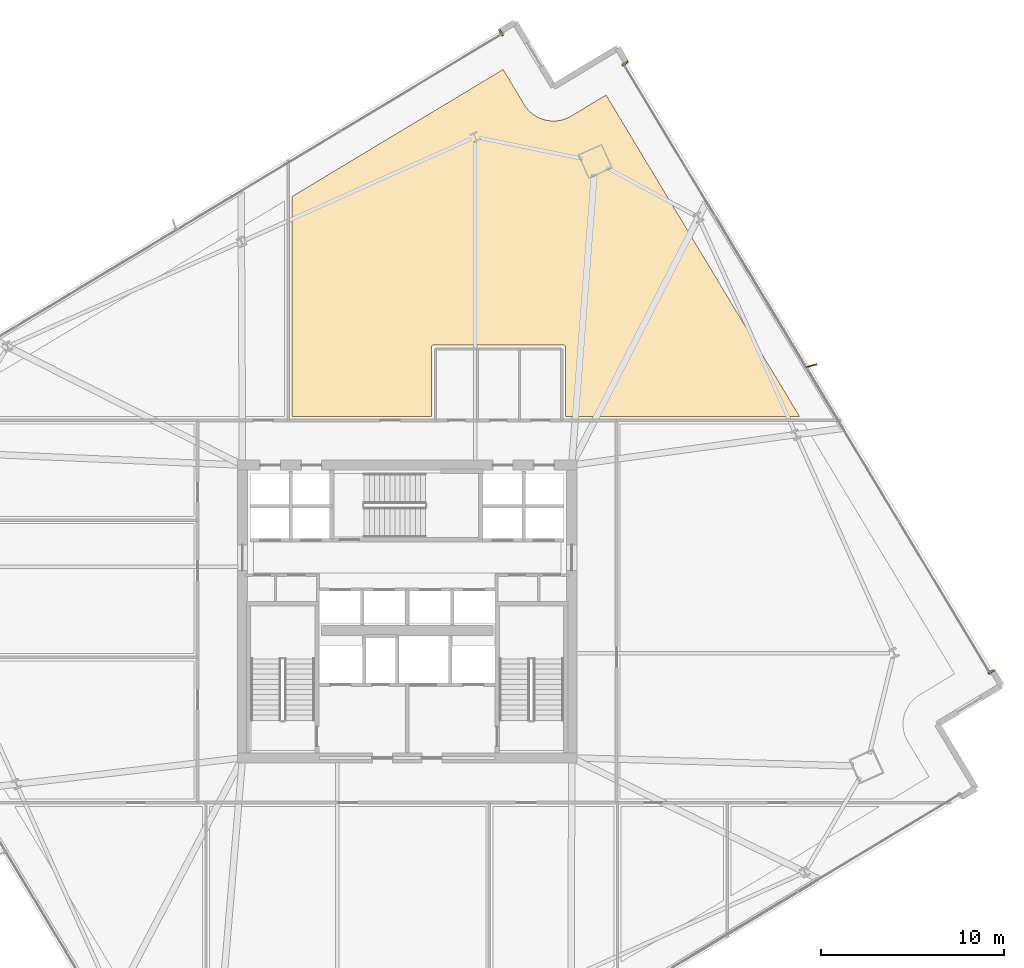
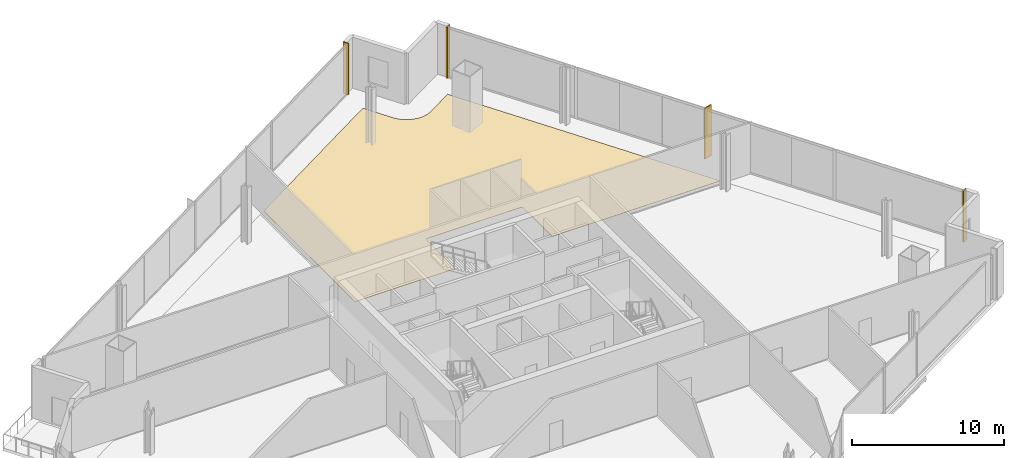
# One storey, part 30 of 30: 4 coverings, 1 shading device.
"""IFC4 building model written with IfcOpenShell, lengths in metres."""

from ifc_helpers import new_model, si_unit, direction, frame, origin, origin_2d, place, context, subcontext, project, spatial, polyline, rectangle, outline, extrude, source, transform, mapped, material, layer, layer_set, type_object, element, save


model = new_model("IFC4")

# Units and contexts
model_context = context("Model", 3, precision=1e-05, world=origin(), true_north=direction((0.0, 1.0)))
body_context = subcontext(model_context, "Body", "Model", "MODEL_VIEW")
ifc_project = project(units=[si_unit("LENGTHUNIT", "METRE"), si_unit("AREAUNIT", "SQUARE_METRE"), si_unit("VOLUMEUNIT", "CUBIC_METRE"), si_unit("PLANEANGLEUNIT", "RADIAN"), si_unit("MASSUNIT", "GRAM", prefix="KILO")], contexts=[model_context])

# Site, building, storey
site_placement = place(None, origin())
site = spatial("IfcSite", under=ifc_project, at=site_placement, CompositionType="ELEMENT")
building_placement = place(site_placement, origin())
building = spatial("IfcBuilding", under=site, at=building_placement, Name="Haldenkirk Collegiate Tower", CompositionType="ELEMENT")
storey_placement = place(building_placement, frame((0.0, 0.0, 131.699951171875)))
storey = spatial("IfcBuildingStorey", under=building, at=storey_placement, Name="L32", CompositionType="ELEMENT", Elevation=131.699951171875)

# Coverings
ifc_material_1 = material(Name="Engineered collegiate oak acoustic flooring", Category="wood")
ifc_layer_1 = layer(ifc_material_1, 0.02197265625)
ifc_layer_set_1 = layer_set([ifc_layer_1], Name="Engineered collegiate oak acoustic flooring")
covering_type_1 = type_object("IfcCoveringType", Name="COV-FLOOR-TIMBER", PredefinedType="FLOORING", material=ifc_layer_set_1)
covering_placement = place(storey_placement, origin())
element("IfcCovering", 1, at=covering_placement, inside=storey, type_object=covering_type_1, Name="L32 academic room finish 07", PredefinedType="FLOORING", context=body_context, shape_type="SweptSolid", body=[
    extrude(outline(polyline([(42.39794921875, 53.72216796875), (42.401123046875, 53.717041015625), (42.496826171875, 53.574462890625), (42.50390625, 53.565185546875), (42.613037109375, 53.4326171875), (42.62109375, 53.423828125), (42.74267578125, 53.302490234375), (42.75146484375, 53.294677734375), (42.884521484375, 53.18603515625), (42.893798828125, 53.178955078125), (43.036865234375, 53.083984375), (43.047119140625, 53.077880859375), (43.19873046875, 52.997314453125), (43.209228515625, 52.9921875), (43.367919921875, 52.9267578125), (43.379150390625, 52.9228515625), (43.543701171875, 52.873291015625), (43.554931640625, 52.87060546875), (43.723388671875, 52.83740234375), (43.735107421875, 52.835693359375), (43.90625, 52.819091796875), (43.91796875, 52.818603515625), (44.089599609375, 52.81884765625), (44.101318359375, 52.819580078125), (44.272216796875, 52.836669921875), (44.283935546875, 52.83837890625), (44.452392578125, 52.872314453125), (44.4638671875, 52.875), (44.6279296875, 52.92529296875), (44.638916015625, 52.92919921875), (44.797607421875, 52.995361328125), (44.80810546875, 53.00048828125), (44.95947265625, 53.081787109375), (44.964599609375, 53.084716796875), (46.875244140625, 54.23486328125), (57.4619140625, 36.64990234375), (44.669921875, 36.64990234375), (44.669921875, 40.449951171875), (44.66943359375, 40.4619140625), (44.667724609375, 40.473388671875), (44.664794921875, 40.48486328125), (44.660888671875, 40.495849609375), (44.65576171875, 40.506591796875), (44.64990234375, 40.5166015625), (44.642822265625, 40.526123046875), (44.635009765625, 40.534912109375), (44.626220703125, 40.542724609375), (44.61669921875, 40.5498046875), (44.606689453125, 40.555908203125), (44.595947265625, 40.560791015625), (44.584716796875, 40.564697265625), (44.573486328125, 40.567626953125), (44.561767578125, 40.5693359375), (44.550048828125, 40.570068359375), (37.449951171875, 40.570068359375), (37.438232421875, 40.5693359375), (37.426513671875, 40.567626953125), (37.415283203125, 40.564697265625), (37.404052734375, 40.560791015625), (37.393310546875, 40.555908203125), (37.38330078125, 40.5498046875), (37.373779296875, 40.542724609375), (37.364990234375, 40.534912109375), (37.357177734375, 40.526123046875), (37.35009765625, 40.5166015625), (37.34423828125, 40.506591796875), (37.339111328125, 40.495849609375), (37.335205078125, 40.48486328125), (37.332275390625, 40.473388671875), (37.33056640625, 40.4619140625), (37.330078125, 40.449951171875), (37.330078125, 36.64990234375), (29.699951171875, 36.64990234375), (29.699951171875, 48.680419921875), (41.247802734375, 55.632568359375), (42.39794921875, 53.72216796875)])), origin(), (0.0, 0.0, 1.0), 0.02197265625),
])
ifc_material_2 = material(Name="Anodised architectural bronze aluminium", Category="aluminium")
ifc_layer_2 = layer(ifc_material_2, 0.06005859375)
ifc_layer_set_2 = layer_set([ifc_layer_2], Name="Anodised architectural bronze aluminium")
covering_type_2 = type_object("IfcCoveringType", Name="COV-CLAD-BRONZE-60", PredefinedType="CLADDING", material=ifc_layer_set_2)
shared_shape_1 = source(origin(), body_context, "Body", "SweptSolid", [
    extrude(rectangle(XDim=0.10009765625, YDim=0.3798828125, at=origin_2d()), origin(), (0.0, 0.0, 1.0), 4.10009765625),
])
for number, where, z_axis, x_axis, name in (
    (2, (47.915283203125, 55.958251953125, 0.0), (0.0, 0.0, 1.0), (0.515785898285, -0.856717518865, 0.0), "L32 recessed curtain-wall bronze jamb closure EJL"),
    (3, (67.935302734375, 22.70458984375, 0.0), (0.0, 0.0, 1.0), (0.515785898285, -0.856717518865, 0.0), "L32 recessed curtain-wall bronze jamb closure EJR"),
    (4, (41.135009765625, 57.642333984375, 0.0), (0.0, 0.0, 1.0), (0.856717518865, 0.515785898285, 0.0), "L32 recessed curtain-wall bronze jamb closure NJR"),
):
    element("IfcCovering", number, at=place(storey_placement, frame(where, z_axis=z_axis, x_axis=x_axis)), inside=storey, type_object=covering_type_2, Name=name, PredefinedType="CLADDING", context=body_context, shape_type="MappedRepresentation", body=[
        mapped(shared_shape_1, transform((0.0, 0.0, 0.0), x_axis=(1.0, 0.0, 0.0), y_axis=(0.0, 1.0, 0.0), z_axis=(0.0, 0.0, 1.0), scale=1.0)),
    ])

# Shading device
ifc_layer_3 = layer(ifc_material_2, 0.06494140625)
ifc_layer_set_3 = layer_set([ifc_layer_3], Name="Anodised architectural bronze aluminium")
shading_device_type = type_object("IfcShadingDeviceType", Name="SHD-FIN-BRONZE-620", PredefinedType="USERDEFINED", material=ifc_layer_set_3)
shared_shape_2 = source(origin(), body_context, "Body", "SweptSolid", [
    extrude(rectangle(XDim=0.6201171875, YDim=0.06494140625, at=origin_2d()), origin(), (0.0, 0.0, 1.0), 4.10009765625),
])
shading_device_placement = place(storey_placement, frame((58.10107421875, 39.437255859375, 0.0), z_axis=(0.0, 0.0, 1.0), x_axis=(0.965699596295, 0.259661875744, 0.0)))
element("IfcShadingDevice", 5, at=shading_device_placement, inside=storey, type_object=shading_device_type, Name="L32 folded bronze solar fin 1", ObjectType="FIN", PredefinedType="USERDEFINED", context=body_context, shape_type="MappedRepresentation", body=[
    mapped(shared_shape_2, transform((0.0, 0.0, 0.0), x_axis=(1.0, 0.0, 0.0), y_axis=(0.0, 1.0, 0.0), z_axis=(0.0, 0.0, 1.0), scale=1.0)),
])

save(model, "model.ifc")
